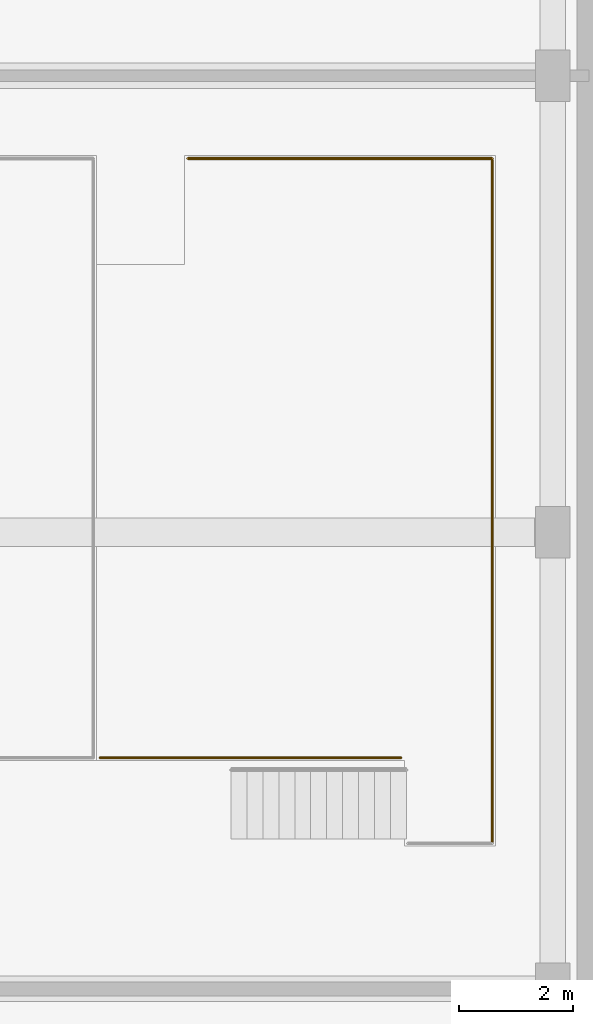
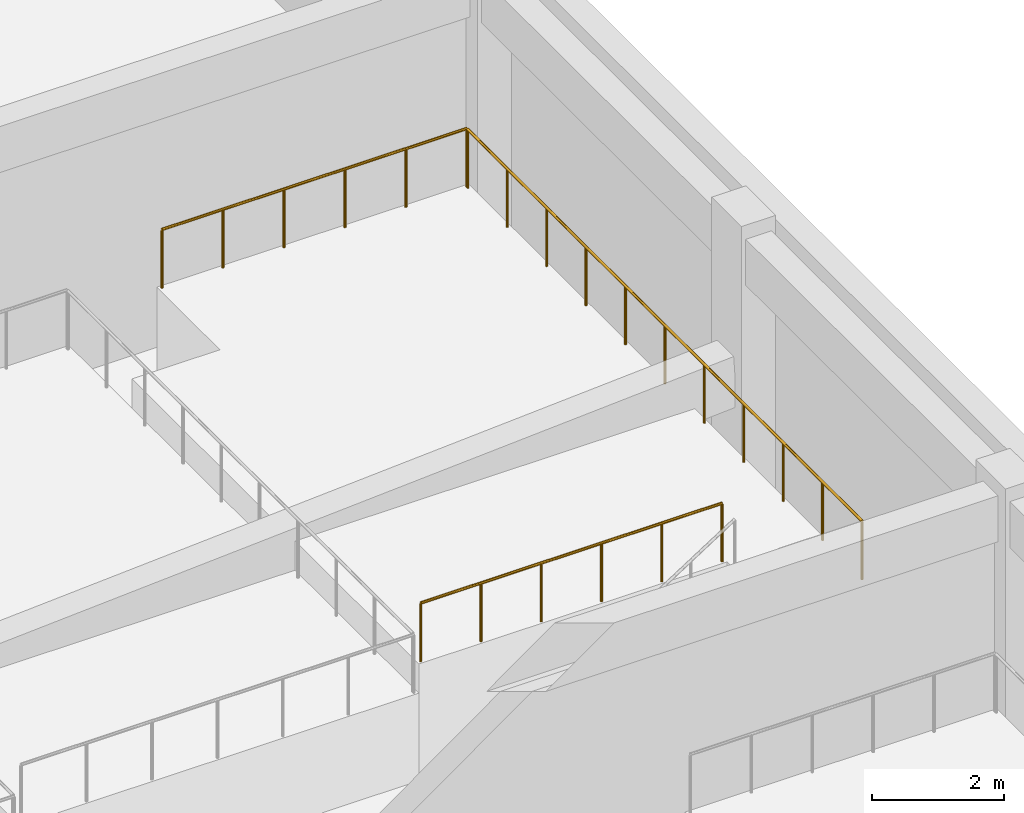
# One storey, part 41 of 46: 3 railings.
"""IFC4 building model written with IfcOpenShell, lengths in metres."""

from ifc_helpers import new_model, si_unit, direction, frame, origin, origin_2d, place, context, subcontext, project, spatial, circle, extrude, material, type_object, element, save


model = new_model("IFC4")

# Units and contexts
model_context = context("Model", 3, precision=1e-05, world=origin(), true_north=direction((0.0, 1.0)))
body_context = subcontext(model_context, "Body", "Model", "MODEL_VIEW")
ifc_project = project(units=[si_unit("LENGTHUNIT", "METRE"), si_unit("AREAUNIT", "SQUARE_METRE"), si_unit("VOLUMEUNIT", "CUBIC_METRE"), si_unit("PLANEANGLEUNIT", "RADIAN"), si_unit("MASSUNIT", "GRAM", prefix="KILO")], contexts=[model_context])

# Site, building, storey
site_placement = place(None, origin())
site = spatial("IfcSite", under=ifc_project, at=site_placement, CompositionType="ELEMENT")
building_placement = place(site_placement, origin())
building = spatial("IfcBuilding", under=site, at=building_placement, Name="Cinchona Park Media Centre", CompositionType="ELEMENT")
storey_placement = place(building_placement, origin())
storey = spatial("IfcBuildingStorey", under=building, at=storey_placement, Name="L00", CompositionType="ELEMENT", Elevation=0.0)

# Railings
ifc_material = material(Name="Painted Steel Stairwell Guardrail", Category="steel")
railing_type = type_object("IfcRailingType", Name="RAILING-GR02", PredefinedType="GUARDRAIL", material=ifc_material)
railing_1_placement = place(storey_placement, frame((44.300048828125, 34.179931640625, 2.159912109375)))
element("IfcRailing", 1, at=railing_1_placement, inside=storey, type_object=railing_type, Name="Auditorium Tier Guardrail GR02 140", PredefinedType="GUARDRAIL", context=body_context, shape_type="SweptSolid", body=[
    extrude(circle(Radius=0.02392578125, at=origin_2d()), frame((0.0, 0.0, 1.076171875), z_axis=(0.0, 1.0, 0.0), x_axis=(-1.0, 0.0, 0.0)), (0.0, 0.0, 1.0), 11.940185546875),
    extrude(circle(Radius=0.02099609375, at=origin_2d()), origin(), (0.0, 0.0, 1.0), 1.052001953125),
    extrude(circle(Radius=0.02099609375, at=origin_2d()), frame((0.0, 1.194091796875, 0.0)), (0.0, 0.0, 1.0), 1.052001953125),
    extrude(circle(Radius=0.02099609375, at=origin_2d()), frame((0.0, 2.387939453125, 0.0)), (0.0, 0.0, 1.0), 1.052001953125),
    extrude(circle(Radius=0.02099609375, at=origin_2d()), frame((0.0, 3.58203125, 0.0)), (0.0, 0.0, 1.0), 1.052001953125),
    extrude(circle(Radius=0.02099609375, at=origin_2d()), frame((0.0, 4.776123046875, 0.0)), (0.0, 0.0, 1.0), 1.052001953125),
    extrude(circle(Radius=0.02099609375, at=origin_2d()), frame((0.0, 5.97021484375, 0.0)), (0.0, 0.0, 1.0), 1.052001953125),
    extrude(circle(Radius=0.02099609375, at=origin_2d()), frame((0.0, 7.1640625, 0.0)), (0.0, 0.0, 1.0), 1.052001953125),
    extrude(circle(Radius=0.02099609375, at=origin_2d()), frame((0.0, 8.358154296875, 0.0)), (0.0, 0.0, 1.0), 1.052001953125),
    extrude(circle(Radius=0.02099609375, at=origin_2d()), frame((0.0, 9.55224609375, 0.0)), (0.0, 0.0, 1.0), 1.052001953125),
    extrude(circle(Radius=0.02099609375, at=origin_2d()), frame((0.0, 10.74609375, 0.0)), (0.0, 0.0, 1.0), 1.052001953125),
    extrude(circle(Radius=0.02099609375, at=origin_2d()), frame((0.0, 11.940185546875, 0.0)), (0.0, 0.0, 1.0), 1.052001953125),
])
railing_2_placement = place(storey_placement, frame((37.429931640625, 35.64990234375, 2.159912109375)))
element("IfcRailing", 2, at=railing_2_placement, inside=storey, type_object=railing_type, Name="Auditorium Tier Side Guardrail GR02 141", PredefinedType="GUARDRAIL", context=body_context, shape_type="SweptSolid", body=[
    extrude(circle(Radius=0.02392578125, at=origin_2d()), frame((0.0, 0.0, 1.076171875), z_axis=(1.0, 0.0, 0.0), x_axis=(0.0, 1.0, 0.0)), (0.0, 0.0, 1.0), 5.27001953125),
    extrude(circle(Radius=0.02099609375, at=origin_2d()), origin(), (0.0, 0.0, 1.0), 1.052001953125),
    extrude(circle(Radius=0.02099609375, at=origin_2d()), frame((1.053955078125, 0.0, 0.0)), (0.0, 0.0, 1.0), 1.052001953125),
    extrude(circle(Radius=0.02099609375, at=origin_2d()), frame((2.10791015625, 0.0, 0.0)), (0.0, 0.0, 1.0), 1.052001953125),
    extrude(circle(Radius=0.02099609375, at=origin_2d()), frame((3.162109375, 0.0, 0.0)), (0.0, 0.0, 1.0), 1.052001953125),
    extrude(circle(Radius=0.02099609375, at=origin_2d()), frame((4.216064453125, 0.0, 0.0)), (0.0, 0.0, 1.0), 1.052001953125),
    extrude(circle(Radius=0.02099609375, at=origin_2d()), frame((5.27001953125, 0.0, 0.0)), (0.0, 0.0, 1.0), 1.052001953125),
])
railing_3_placement = place(storey_placement, frame((44.300048828125, 46.14990234375, 2.159912109375)))
element("IfcRailing", 3, at=railing_3_placement, inside=storey, type_object=railing_type, Name="Auditorium Tier Side Guardrail GR02 143", PredefinedType="GUARDRAIL", context=body_context, shape_type="SweptSolid", body=[
    extrude(circle(Radius=0.02392578125, at=origin_2d()), frame((0.0, 0.0, 1.076171875), z_axis=(-1.0, 0.0, 0.0), x_axis=(0.0, -1.0, 0.0)), (0.0, 0.0, 1.0), 5.33203125),
    extrude(circle(Radius=0.02099609375, at=origin_2d()), origin(), (0.0, 0.0, 1.0), 1.052001953125),
    extrude(circle(Radius=0.02099609375, at=origin_2d()), frame((-1.06640625, 0.0, 0.0)), (0.0, 0.0, 1.0), 1.052001953125),
    extrude(circle(Radius=0.02099609375, at=origin_2d()), frame((-2.1328125, 0.0, 0.0)), (0.0, 0.0, 1.0), 1.052001953125),
    extrude(circle(Radius=0.02099609375, at=origin_2d()), frame((-3.19921875, 0.0, 0.0)), (0.0, 0.0, 1.0), 1.052001953125),
    extrude(circle(Radius=0.02099609375, at=origin_2d()), frame((-4.265625, 0.0, 0.0)), (0.0, 0.0, 1.0), 1.052001953125),
    extrude(circle(Radius=0.02099609375, at=origin_2d()), frame((-5.33203125, 0.0, 0.0)), (0.0, 0.0, 1.0), 1.052001953125),
])

save(model, "model.ifc")
